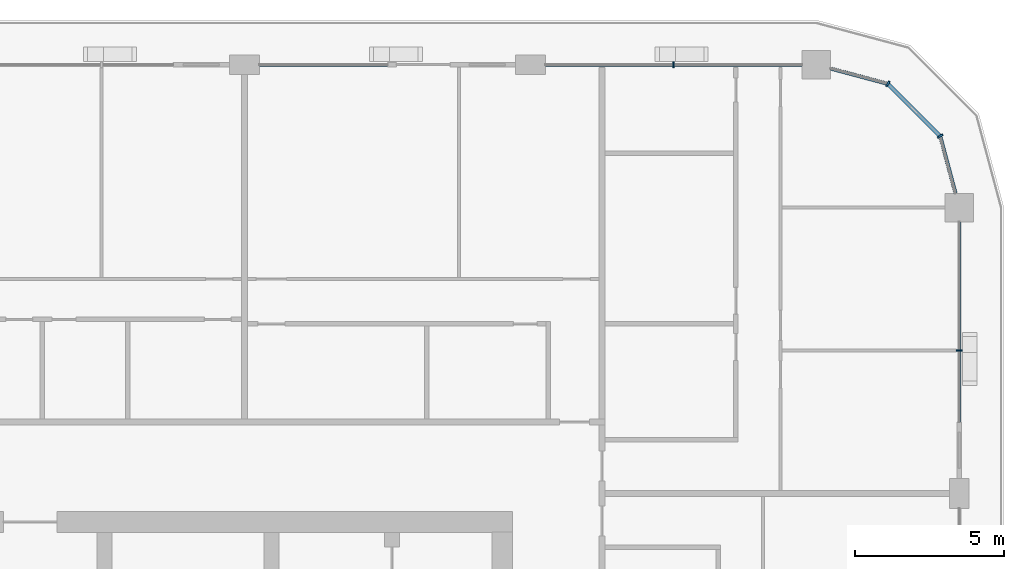
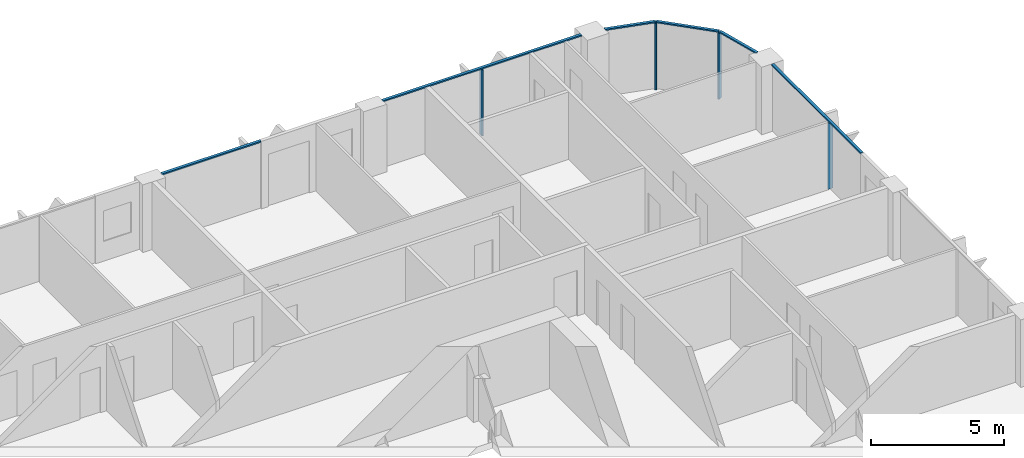
# One storey, part 6 of 22: 10 members, 4 elements without a shape of their own.
"""IFC4 building model written with IfcOpenShell, lengths in metres."""

from ifc_helpers import new_model, si_unit, direction, frame, origin, origin_2d, place, context, subcontext, project, spatial, rectangle, extrude, material, layer, layer_set, material_profile, profile_set, type_object, element, aggregate, save


model = new_model("IFC4")

# Units and contexts
model_context = context("Model", 3, precision=1e-05, world=origin(), true_north=direction((0.0, 1.0)))
body_context = subcontext(model_context, "Body", "Model", "MODEL_VIEW")
ifc_project = project(units=[si_unit("LENGTHUNIT", "METRE"), si_unit("AREAUNIT", "SQUARE_METRE"), si_unit("VOLUMEUNIT", "CUBIC_METRE"), si_unit("PLANEANGLEUNIT", "RADIAN"), si_unit("MASSUNIT", "GRAM", prefix="KILO")], contexts=[model_context])

# Site, building, storey
site_placement = place(None, origin())
site = spatial("IfcSite", under=ifc_project, at=site_placement, CompositionType="ELEMENT")
building_placement = place(site_placement, origin())
building = spatial("IfcBuilding", under=site, at=building_placement, Name="Madar Terraces", CompositionType="ELEMENT")
storey_placement = place(building_placement, frame((0.0, 0.0, 229.800048828125)))
storey = spatial("IfcBuildingStorey", under=building, at=storey_placement, Name="L60", CompositionType="ELEMENT", Elevation=229.800048828125)

# Curtain wall, member
ifc_material_1 = material(Name="Glass, ceramic frit dark grey, with black aluminium frame", Category="aluminium")
ifc_layer = layer(ifc_material_1, 0.199951171875)
ifc_layer_set = layer_set([ifc_layer], Name="Facade curtain wall, fritted glass")
curtain_wall_type = type_object("IfcCurtainWallType", Name="Facade curtain wall, fritted glass", PredefinedType="NOTDEFINED", material=ifc_layer_set)
curtain_wall_1_placement = place(storey_placement, origin())
curtain_wall_1 = element("IfcCurtainWall", 1, at=curtain_wall_1_placement, inside=storey, type_object=curtain_wall_type, Name="Outer skin curtain wall east bay 4", PredefinedType="NOTDEFINED")
ifc_material_2 = material(Name="Aluminium, black anodised", Category="aluminium")
ifc_material_profile_1 = material_profile(ifc_material_2, rectangle(XDim=0.199951171875, YDim=0.06005859375, at=origin_2d()), Name="Facade mullion 60x200")
ifc_profile_set_1 = profile_set([ifc_material_profile_1], Name="Aluminium, black anodised")
member_type_1 = type_object("IfcMemberType", Name="Facade mullion 60x200", PredefinedType="MULLION", material=ifc_profile_set_1)
member_1_placement = place(storey_placement, frame((62.39990234375, 43.199951171875, 0.0), z_axis=(0.0, 0.0, 1.0), x_axis=(-1.0, 0.0, 0.0)))
member_1 = element("IfcMember", 2, at=member_1_placement, type_object=member_type_1, Name="Mullion 1", PredefinedType="MULLION", context=body_context, shape_type="SweptSolid", body=[
    extrude(rectangle(XDim=0.199951171875, YDim=0.06005859375, at=origin_2d()), origin(), (0.0, 0.0, 1.0), 3.0400390625),
])

curtain_wall_2_placement = place(storey_placement, origin())
curtain_wall_2 = element("IfcCurtainWall", 3, at=curtain_wall_2_placement, inside=storey, type_object=curtain_wall_type, Name="Outer skin curtain wall north bay 1", PredefinedType="NOTDEFINED")
member_2_placement = place(storey_placement, frame((52.800048828125, 52.800048828125, 0.0), z_axis=(0.0, 0.0, 1.0), x_axis=(0.0, -1.0, 0.0)))
member_2 = element("IfcMember", 4, at=member_2_placement, type_object=member_type_1, Name="Mullion 1", PredefinedType="MULLION", context=body_context, shape_type="SweptSolid", body=[
    extrude(rectangle(XDim=0.199951171875, YDim=0.06005859375, at=origin_2d()), origin(), (0.0, 0.0, 1.0), 3.0400390625),
])

# Curtain wall, members
curtain_wall_3_placement = place(storey_placement, origin())
curtain_wall_3 = element("IfcCurtainWall", 5, at=curtain_wall_3_placement, inside=storey, type_object=curtain_wall_type, Name="Outer skin curtain wall north-east corner", PredefinedType="NOTDEFINED")
member_3_placement = place(storey_placement, frame((61.7568359375, 50.39990234375, 0.0), z_axis=(0.0, 0.0, 1.0), x_axis=(-0.866025409797, -0.499999989586, 0.0)))
member_3 = element("IfcMember", 6, at=member_3_placement, type_object=member_type_1, Name="Mullion 1", PredefinedType="MULLION", context=body_context, shape_type="SweptSolid", body=[
    extrude(rectangle(XDim=0.199951171875, YDim=0.06005859375, at=origin_2d()), origin(), (0.0, 0.0, 1.0), 3.0400390625),
])
member_4_placement = place(storey_placement, frame((60.0, 52.156982421875, 0.0), z_axis=(0.0, 0.0, 1.0), x_axis=(-0.499999989586, -0.866025409797, 0.0)))
member_4 = element("IfcMember", 7, at=member_4_placement, type_object=member_type_1, Name="Mullion 2", PredefinedType="MULLION", context=body_context, shape_type="SweptSolid", body=[
    extrude(rectangle(XDim=0.199951171875, YDim=0.06005859375, at=origin_2d()), origin(), (0.0, 0.0, 1.0), 3.0400390625),
])

# Member
ifc_material_3 = material(Name="Aluminium, black anodised", Category="aluminium")
ifc_material_profile_2 = material_profile(ifc_material_3, rectangle(XDim=0.1201171875, YDim=0.06005859375, at=origin_2d()), Name="Facade transom 60x120")
ifc_profile_set_2 = profile_set([ifc_material_profile_2], Name="Aluminium, black anodised")
member_type_2 = type_object("IfcMemberType", Name="Facade transom 60x120", PredefinedType="USERDEFINED", material=ifc_profile_set_2)
member_5_placement = place(storey_placement, frame((62.39990234375, 40.800048828125, 3.070068359375), z_axis=(0.0, 1.0, 0.0), x_axis=(-1.0, 0.0, 0.0)))
member_5 = element("IfcMember", 8, at=member_5_placement, type_object=member_type_2, Name="Transom 1", ObjectType="TRANSOM", PredefinedType="USERDEFINED", context=body_context, shape_type="SweptSolid", body=[
    extrude(rectangle(XDim=0.1201171875, YDim=0.06005859375, at=origin_2d()), origin(), (0.0, 0.0, 1.0), 6.724853515625),
])

aggregate(curtain_wall_1, [member_1, member_5])

member_6_placement = place(storey_placement, frame((57.125, 52.800048828125, 3.070068359375), z_axis=(-1.0, 0.0, 0.0), x_axis=(0.0, -1.0, 0.0)))
member_6 = element("IfcMember", 9, at=member_6_placement, type_object=member_type_2, Name="Transom 1", ObjectType="TRANSOM", PredefinedType="USERDEFINED", context=body_context, shape_type="SweptSolid", body=[
    extrude(rectangle(XDim=0.1201171875, YDim=0.06005859375, at=origin_2d()), origin(), (0.0, 0.0, 1.0), 8.625),
])

aggregate(curtain_wall_2, [member_2, member_6])

# Curtain wall, member
curtain_wall_4_placement = place(storey_placement, origin())
curtain_wall_4 = element("IfcCurtainWall", 10, at=curtain_wall_4_placement, inside=storey, type_object=curtain_wall_type, Name="Outer skin curtain wall north bay 2", PredefinedType="NOTDEFINED")
member_7_placement = place(storey_placement, frame((43.199951171875, 52.800048828125, 3.070068359375), z_axis=(-1.0, 0.0, 0.0), x_axis=(0.0, -1.0, 0.0)))
member_7 = element("IfcMember", 11, at=member_7_placement, type_object=member_type_2, Name="Transom 1", ObjectType="TRANSOM", PredefinedType="USERDEFINED", context=body_context, shape_type="SweptSolid", body=[
    extrude(rectangle(XDim=0.1201171875, YDim=0.06005859375, at=origin_2d()), origin(), (0.0, 0.0, 1.0), 4.300048828125),
])
aggregate(curtain_wall_4, [member_7])

# Member
member_8_placement = place(storey_placement, frame((62.272705078125, 48.47509765625, 3.070068359375), z_axis=(-0.258831412352, 0.96592251241, 0.0), x_axis=(-0.96592251241, -0.258831412352, 0.0)))
member_8 = element("IfcMember", 12, at=member_8_placement, type_object=member_type_2, Name="Transom 1", ObjectType="TRANSOM", PredefinedType="USERDEFINED", context=body_context, shape_type="SweptSolid", body=[
    extrude(rectangle(XDim=0.1201171875, YDim=0.06005859375, at=origin_2d()), origin(), (0.0, 0.0, 1.0), 1.962890625),
])

member_9_placement = place(storey_placement, frame((61.735595703125, 50.421142578125, 3.070068359375), z_axis=(-0.707056433593, 0.707157125196, 0.0), x_axis=(-0.707157125196, -0.707056433593, 0.0)))
member_9 = element("IfcMember", 13, at=member_9_placement, type_object=member_type_2, Name="Transom 2", ObjectType="TRANSOM", PredefinedType="USERDEFINED", context=body_context, shape_type="SweptSolid", body=[
    extrude(rectangle(XDim=0.1201171875, YDim=0.06005859375, at=origin_2d()), origin(), (0.0, 0.0, 1.0), 2.424560546875),
])

member_10_placement = place(storey_placement, frame((59.970947265625, 52.164794921875, 3.070068359375), z_axis=(-0.965953602414, 0.258715360935, 0.0), x_axis=(-0.258715360935, -0.965953602414, 0.0)))
member_10 = element("IfcMember", 14, at=member_10_placement, type_object=member_type_2, Name="Transom 3", ObjectType="TRANSOM", PredefinedType="USERDEFINED", context=body_context, shape_type="SweptSolid", body=[
    extrude(rectangle(XDim=0.1201171875, YDim=0.06005859375, at=origin_2d()), origin(), (0.0, 0.0, 1.0), 1.962890625),
])

aggregate(curtain_wall_3, [member_3, member_8, member_4, member_9, member_10])

save(model, "model.ifc")
